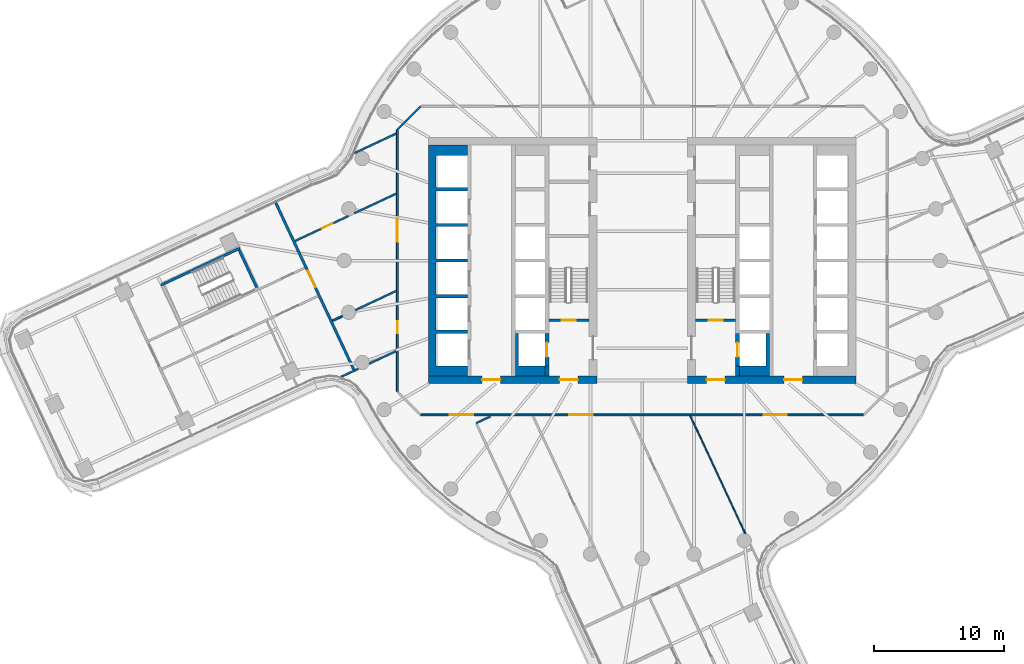
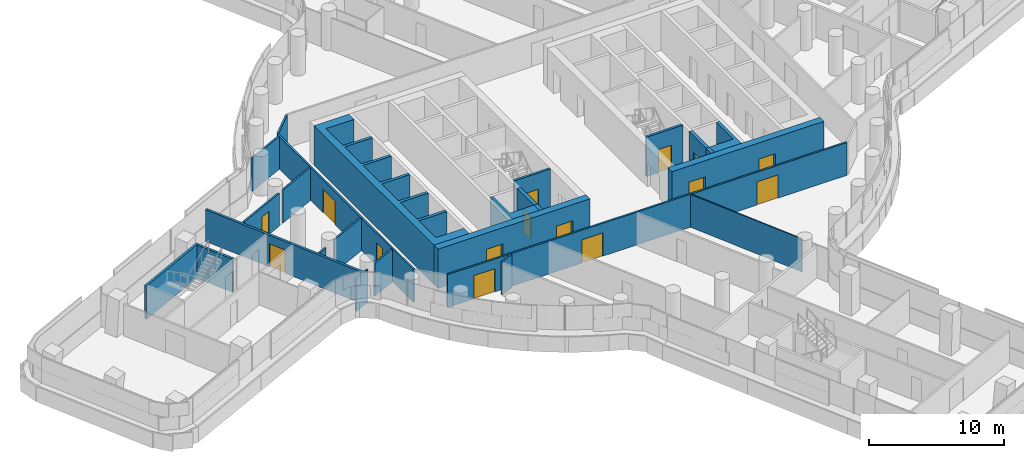
# One storey, part 24 of 36: 26 walls, 15 doors, 15 openings.
"""IFC4 building model written with IfcOpenShell, lengths in metres."""

from ifc_helpers import new_model, si_unit, direction, frame, frame_2d, origin, place, context, subcontext, project, spatial, polyline, rectangle, outline, extrude, material, layer, layer_set, type_object, element, fill, save


model = new_model("IFC4")

# Units and contexts
model_context = context("Model", 3, precision=1e-05, world=origin(), true_north=direction((0.0, 1.0)))
body_context = subcontext(model_context, "Body", "Model", "MODEL_VIEW")
ifc_project = project(units=[si_unit("LENGTHUNIT", "METRE"), si_unit("AREAUNIT", "SQUARE_METRE"), si_unit("VOLUMEUNIT", "CUBIC_METRE"), si_unit("PLANEANGLEUNIT", "RADIAN"), si_unit("MASSUNIT", "GRAM", prefix="KILO")], contexts=[model_context])

# Site, building, storey
site_placement = place(None, origin())
site = spatial("IfcSite", under=ifc_project, at=site_placement, CompositionType="ELEMENT")
building_placement = place(site_placement, origin())
building = spatial("IfcBuilding", under=site, at=building_placement, Name="Tamarind Cross Interchange Tower", CompositionType="ELEMENT")
storey_placement = place(building_placement, frame((0.0, 0.0, 124.75)))
storey = spatial("IfcBuildingStorey", under=building, at=storey_placement, Name="L30", CompositionType="ELEMENT", Elevation=124.75)

# Wall, openings, doors
ifc_material_1 = material(Name="Concrete C70", Category="concrete")
ifc_layer_1 = layer(ifc_material_1, 0.60009765625)
ifc_layer_set_1 = layer_set([ifc_layer_1], Name="Concrete C70")
wall_type_1 = type_object("IfcWallType", Name="Core wall 600 mm Concrete C70", PredefinedType="SHEAR", material=ifc_layer_set_1)
wall_1_placement = place(storey_placement, frame((-16.5, -9.199951171875, 0.0), z_axis=(0.0, 0.0, 1.0), x_axis=(1.0, 0.0, 0.0)))
wall_1 = element("IfcWall", 1, at=wall_1_placement, inside=storey, type_object=wall_type_1, Name="Core wall CWL-L30-W-S", PredefinedType="SHEAR", context=body_context, shape_type="SweptSolid", body=[
    extrude(rectangle(XDim=13.0, YDim=0.60009765625, at=frame_2d((6.5, 0.0))), origin(), (0.0, 0.0, 1.0), 3.570068359375),
])
opening_1_placement = place(wall_1_placement, frame((4.14990234375, 0.0, 0.0)))
opening_1 = element("IfcOpeningElement", 2, at=opening_1_placement, cuts=wall_1, Name="Opening DCW1", PredefinedType="OPENING", context=body_context, shape_type="SweptSolid", body=[
    extrude(rectangle(XDim=1.39990234375, YDim=2.10009765625, at=frame_2d((0.699951171875, 1.050048828125))), frame((0.0, 0.31005859375, 0.0), z_axis=(0.0, -1.0, 0.0), x_axis=(1.0, 0.0, 0.0)), (0.0, 0.0, 1.0), 0.6201171875),
])
opening_2_placement = place(wall_1_placement, frame((10.125, 0.0, 0.0)))
opening_2 = element("IfcOpeningElement", 3, at=opening_2_placement, cuts=wall_1, Name="Opening DCWF", PredefinedType="OPENING", context=body_context, shape_type="SweptSolid", body=[
    extrude(rectangle(XDim=1.39990234375, YDim=2.10009765625, at=frame_2d((0.699951171875, 1.050048828125))), frame((0.0, 0.31005859375, 0.0), z_axis=(0.0, -1.0, 0.0), x_axis=(1.0, 0.0, 0.0)), (0.0, 0.0, 1.0), 0.6201171875),
])
ifc_material_2 = material(Name="Steel, fire-resisting", Category="steel")
door_type_1 = type_object("IfcDoorType", Name="Core fire door 1400 x 2100 FD90", OperationType="SINGLE_SWING_LEFT", PredefinedType="DOOR", material=ifc_material_2)
door_1_placement = place(opening_1_placement, origin())
door_1 = element("IfcDoor", 4, at=door_1_placement, inside=storey, type_object=door_type_1, Name="L30 lift lobby door", OperationType="SINGLE_SWING_LEFT", OverallHeight=2.10009765625, OverallWidth=1.39990234375, PredefinedType="DOOR", context=body_context, shape_type="SweptSolid", body=[
    extrude(rectangle(XDim=1.39990234375, YDim=2.10009765625, at=frame_2d((0.699951171875, 1.050048828125))), frame((0.0, 0.02490234375, 0.0), z_axis=(0.0, -1.0, 0.0), x_axis=(1.0, 0.0, 0.0)), (0.0, 0.0, 1.0), 0.050048828125),
])
fill(opening_1, door_1)
door_2_placement = place(opening_2_placement, origin())
door_2 = element("IfcDoor", 5, at=door_2_placement, inside=storey, type_object=door_type_1, Name="L30 firefighting lobby end door", OperationType="SINGLE_SWING_LEFT", OverallHeight=2.10009765625, OverallWidth=1.39990234375, PredefinedType="DOOR", context=body_context, shape_type="SweptSolid", body=[
    extrude(rectangle(XDim=1.39990234375, YDim=2.10009765625, at=frame_2d((0.699951171875, 1.050048828125))), frame((0.0, 0.02490234375, 0.0), z_axis=(0.0, -1.0, 0.0), x_axis=(1.0, 0.0, 0.0)), (0.0, 0.0, 1.0), 0.050048828125),
])
fill(opening_2, door_2)

# Wall
wall_2_placement = place(storey_placement, origin())
element("IfcWall", 6, at=wall_2_placement, inside=storey, type_object=wall_type_1, Name="Core wall CWL-L30-W-A", PredefinedType="SHEAR", context=body_context, shape_type="SweptSolid", body=[
    extrude(outline(polyline([(-13.5, -8.89990234375), (-13.5, -8.125), (-15.89990234375, -8.125), (-15.89990234375, -5.625), (-13.5, -5.625), (-13.5, -5.375), (-15.89990234375, -5.375), (-15.89990234375, -2.875), (-13.5, -2.875), (-13.5, -2.625), (-15.89990234375, -2.625), (-15.89990234375, -0.125), (-13.5, -0.125), (-13.5, 0.125), (-15.89990234375, 0.125), (-15.89990234375, 2.625), (-13.5, 2.625), (-13.5, 2.875), (-15.89990234375, 2.875), (-15.89990234375, 5.375), (-13.5, 5.375), (-13.5, 5.625), (-15.89990234375, 5.625), (-15.89990234375, 8.125), (-13.5, 8.125), (-13.5, 8.89990234375), (-15.89990234375, 8.89990234375), (-16.5, 8.89990234375), (-16.5, -8.89990234375), (-15.89990234375, -8.89990234375), (-13.5, -8.89990234375)])), origin(), (0.0, 0.0, 1.0), 3.570068359375),
])

# Wall, openings, doors
wall_3_placement = place(storey_placement, frame((16.5, -9.199951171875, 0.0), z_axis=(0.0, 0.0, 1.0), x_axis=(-1.0, 0.0, 0.0)))
wall_3 = element("IfcWall", 7, at=wall_3_placement, inside=storey, type_object=wall_type_1, Name="Core wall CWL-L30-E-S", PredefinedType="SHEAR", context=body_context, shape_type="SweptSolid", body=[
    extrude(rectangle(XDim=13.0, YDim=0.60009765625, at=frame_2d((6.5, 0.0))), origin(), (0.0, 0.0, 1.0), 3.570068359375),
])
opening_3_placement = place(wall_3_placement, frame((4.14990234375, 0.0, 0.0)))
opening_3 = element("IfcOpeningElement", 8, at=opening_3_placement, cuts=wall_3, Name="Opening DCE1", PredefinedType="OPENING", context=body_context, shape_type="SweptSolid", body=[
    extrude(rectangle(XDim=1.39990234375, YDim=2.10009765625, at=frame_2d((0.699951171875, 1.050048828125))), frame((0.0, 0.31005859375, 0.0), z_axis=(0.0, -1.0, 0.0), x_axis=(1.0, 0.0, 0.0)), (0.0, 0.0, 1.0), 0.6201171875),
])
opening_4_placement = place(wall_3_placement, frame((10.125, 0.0, 0.0)))
opening_4 = element("IfcOpeningElement", 9, at=opening_4_placement, cuts=wall_3, Name="Opening DCEF", PredefinedType="OPENING", context=body_context, shape_type="SweptSolid", body=[
    extrude(rectangle(XDim=1.39990234375, YDim=2.10009765625, at=frame_2d((0.699951171875, 1.050048828125))), frame((0.0, 0.31005859375, 0.0), z_axis=(0.0, -1.0, 0.0), x_axis=(1.0, 0.0, 0.0)), (0.0, 0.0, 1.0), 0.6201171875),
])
door_3_placement = place(opening_3_placement, origin())
door_3 = element("IfcDoor", 10, at=door_3_placement, inside=storey, type_object=door_type_1, Name="L30 lift lobby door", OperationType="SINGLE_SWING_LEFT", OverallHeight=2.10009765625, OverallWidth=1.39990234375, PredefinedType="DOOR", context=body_context, shape_type="SweptSolid", body=[
    extrude(rectangle(XDim=1.39990234375, YDim=2.10009765625, at=frame_2d((0.699951171875, 1.050048828125))), frame((0.0, 0.02490234375, 0.0), z_axis=(0.0, -1.0, 0.0), x_axis=(1.0, 0.0, 0.0)), (0.0, 0.0, 1.0), 0.050048828125),
])
fill(opening_3, door_3)
door_4_placement = place(opening_4_placement, origin())
door_4 = element("IfcDoor", 11, at=door_4_placement, inside=storey, type_object=door_type_1, Name="L30 firefighting lobby end door", OperationType="SINGLE_SWING_LEFT", OverallHeight=2.10009765625, OverallWidth=1.39990234375, PredefinedType="DOOR", context=body_context, shape_type="SweptSolid", body=[
    extrude(rectangle(XDim=1.39990234375, YDim=2.10009765625, at=frame_2d((0.699951171875, 1.050048828125))), frame((0.0, 0.02490234375, 0.0), z_axis=(0.0, -1.0, 0.0), x_axis=(1.0, 0.0, 0.0)), (0.0, 0.0, 1.0), 0.050048828125),
])
fill(opening_4, door_4)

# Walls
ifc_layer_2 = layer(ifc_material_1, 0.300048828125)
ifc_layer_set_2 = layer_set([ifc_layer_2], Name="Concrete C70")
wall_type_2 = type_object("IfcWallType", Name="Core web wall 300 mm Concrete C70", PredefinedType="SHEAR", material=ifc_layer_set_2)
wall_4_placement = place(storey_placement, origin())
element("IfcWall", 12, at=wall_4_placement, inside=storey, type_object=wall_type_2, Name="Core wall CWL-L30-W-BS", PredefinedType="SHEAR", context=body_context, shape_type="SweptSolid", body=[
    extrude(outline(polyline([(-7.5, -8.125), (-9.550048828125, -8.125), (-9.550048828125, -5.625), (-9.800048828125, -5.625), (-9.800048828125, -8.125), (-9.800048828125, -8.89990234375), (-7.5, -8.89990234375), (-7.5, -8.125)])), origin(), (0.0, 0.0, 1.0), 3.570068359375),
])
wall_5_placement = place(storey_placement, frame((-7.35009765625, -8.89990234375, 0.0), z_axis=(0.0, 0.0, 1.0), x_axis=(0.0, 1.0, 0.0)))
element("IfcWall", 13, at=wall_5_placement, inside=storey, type_object=wall_type_2, Name="Core wall CWL-L30-W-BW", PredefinedType="SHEAR", context=body_context, shape_type="SweptSolid", body=[
    extrude(rectangle(XDim=0.77490234375, YDim=0.300048828125, at=frame_2d((0.387451171875, 0.0))), origin(), (0.0, 0.0, 1.0), 3.570068359375),
])

# Wall, opening, door
wall_6_placement = place(storey_placement, frame((-7.35009765625, -8.125, 0.0), z_axis=(0.0, 0.0, 1.0), x_axis=(0.0, 1.0, 0.0)))
wall_6 = element("IfcWall", 14, at=wall_6_placement, inside=storey, type_object=wall_type_2, Name="Core wall CWL-L30-W-FF", PredefinedType="SHEAR", context=body_context, shape_type="SweptSolid", body=[
    extrude(rectangle(XDim=2.5, YDim=0.300048828125, at=frame_2d((1.25, 0.0))), origin(), (0.0, 0.0, 1.0), 3.570068359375),
])
opening_5_placement = place(wall_6_placement, frame((0.699951171875, 0.0, 0.0)))
opening_5 = element("IfcOpeningElement", 15, at=opening_5_placement, cuts=wall_6, Name="Opening LD7L30", PredefinedType="OPENING", context=body_context, shape_type="SweptSolid", body=[
    extrude(rectangle(XDim=1.10009765625, YDim=2.10009765625, at=frame_2d((0.550048828125, 1.050048828125))), frame((0.0, 0.159912109375, 0.0), z_axis=(0.0, -1.0, 0.0), x_axis=(1.0, 0.0, 0.0)), (0.0, 0.0, 1.0), 0.320068359375),
])
ifc_material_3 = material(Name="Stainless steel panel", Category="steel")
door_type_2 = type_object("IfcDoorType", Name="Lift landing door 1100 x 2100 E 120", OperationType="SLIDING_TO_LEFT", PredefinedType="DOOR", material=ifc_material_3)
door_5_placement = place(opening_5_placement, origin())
door_5 = element("IfcDoor", 16, at=door_5_placement, inside=storey, type_object=door_type_2, Name="L30 landing door LF7", OperationType="SLIDING_TO_LEFT", OverallHeight=2.10009765625, OverallWidth=1.10009765625, PredefinedType="DOOR", context=body_context, shape_type="SweptSolid", body=[
    extrude(rectangle(XDim=1.10009765625, YDim=2.10009765625, at=frame_2d((0.550048828125, 1.050048828125))), frame((0.0, 0.02490234375, 0.0), z_axis=(0.0, -1.0, 0.0), x_axis=(1.0, 0.0, 0.0)), (0.0, 0.0, 1.0), 0.050048828125),
])
fill(opening_5, door_5)

# Walls
wall_7_placement = place(storey_placement, origin())
element("IfcWall", 17, at=wall_7_placement, inside=storey, type_object=wall_type_2, Name="Core wall CWL-L30-E-BS", PredefinedType="SHEAR", context=body_context, shape_type="SweptSolid", body=[
    extrude(outline(polyline([(7.5, -8.125), (7.5, -8.89990234375), (9.800048828125, -8.89990234375), (9.800048828125, -8.125), (9.800048828125, -5.625), (9.550048828125, -5.625), (9.550048828125, -8.125), (7.5, -8.125)])), origin(), (0.0, 0.0, 1.0), 3.570068359375),
])
wall_8_placement = place(storey_placement, frame((7.35009765625, -8.89990234375, 0.0), z_axis=(0.0, 0.0, 1.0), x_axis=(0.0, 1.0, 0.0)))
element("IfcWall", 18, at=wall_8_placement, inside=storey, type_object=wall_type_2, Name="Core wall CWL-L30-E-BW", PredefinedType="SHEAR", context=body_context, shape_type="SweptSolid", body=[
    extrude(rectangle(XDim=0.77490234375, YDim=0.300048828125, at=frame_2d((0.387451171875, 0.0))), origin(), (0.0, 0.0, 1.0), 3.570068359375),
])

# Wall, opening, door
wall_9_placement = place(storey_placement, frame((7.35009765625, -8.125, 0.0), z_axis=(0.0, 0.0, 1.0), x_axis=(0.0, 1.0, 0.0)))
wall_9 = element("IfcWall", 19, at=wall_9_placement, inside=storey, type_object=wall_type_2, Name="Core wall CWL-L30-E-FF", PredefinedType="SHEAR", context=body_context, shape_type="SweptSolid", body=[
    extrude(rectangle(XDim=2.5, YDim=0.300048828125, at=frame_2d((1.25, 0.0))), origin(), (0.0, 0.0, 1.0), 3.570068359375),
])
opening_6_placement = place(wall_9_placement, frame((0.699951171875, 0.0, 0.0)))
opening_6 = element("IfcOpeningElement", 20, at=opening_6_placement, cuts=wall_9, Name="Opening LD19L30", PredefinedType="OPENING", context=body_context, shape_type="SweptSolid", body=[
    extrude(rectangle(XDim=1.10009765625, YDim=2.10009765625, at=frame_2d((0.550048828125, 1.050048828125))), frame((0.0, 0.159912109375, 0.0), z_axis=(0.0, -1.0, 0.0), x_axis=(1.0, 0.0, 0.0)), (0.0, 0.0, 1.0), 0.320068359375),
])
door_6_placement = place(opening_6_placement, origin())
door_6 = element("IfcDoor", 21, at=door_6_placement, inside=storey, type_object=door_type_2, Name="L30 landing door LF19", OperationType="SLIDING_TO_LEFT", OverallHeight=2.10009765625, OverallWidth=1.10009765625, PredefinedType="DOOR", context=body_context, shape_type="SweptSolid", body=[
    extrude(rectangle(XDim=1.10009765625, YDim=2.10009765625, at=frame_2d((0.550048828125, 1.050048828125))), frame((0.0, 0.02490234375, 0.0), z_axis=(0.0, -1.0, 0.0), x_axis=(1.0, 0.0, 0.0)), (0.0, 0.0, 1.0), 0.050048828125),
])
fill(opening_6, door_6)

# Wall
ifc_material_4 = material(Name="Gypsum board partition on steel studs", Category="steel")
ifc_layer_3 = layer(ifc_material_4, 0.10009765625)
ifc_layer_set_3 = layer_set([ifc_layer_3], Name="Gypsum board partition on steel studs")
wall_type_3 = type_object("IfcWallType", Name="Partition 100 mm EI 90", PredefinedType="PARTITIONING", material=ifc_layer_set_3)
wall_10_placement = place(storey_placement, frame((3.700927734375, -11.97705078125, 0.0), z_axis=(0.0, 0.0, 1.0), x_axis=(0.423784466957, -0.905763062597, 0.0)))
element("IfcWall", 22, at=wall_10_placement, inside=storey, type_object=wall_type_3, Name="Partition L30-027", PredefinedType="PARTITIONING", context=body_context, shape_type="SweptSolid", body=[
    extrude(rectangle(XDim=10.047607421875, YDim=0.10009765625, at=frame_2d((5.02392578125, 0.0))), origin(), (0.0, 0.0, 1.0), 2.969970703125),
])

# Wall, openings, doors
ifc_layer_4 = layer(ifc_material_4, 0.14990234375)
ifc_layer_set_4 = layer_set([ifc_layer_4], Name="Gypsum board partition on steel studs")
wall_type_4 = type_object("IfcWallType", Name="Partition 150 mm EI 120", PredefinedType="PARTITIONING", material=ifc_layer_set_4)
wall_11_placement = place(storey_placement, frame((-17.10009765625, -11.89990234375, 0.0), z_axis=(0.0, 0.0, 1.0), x_axis=(1.0, 0.0, 0.0)))
wall_11 = element("IfcWall", 23, at=wall_11_placement, inside=storey, type_object=wall_type_4, Name="Partition L30-037", PredefinedType="PARTITIONING", context=body_context, shape_type="SweptSolid", body=[
    extrude(rectangle(XDim=34.1650390625, YDim=0.14990234375, at=frame_2d((17.08251953125, 0.0))), origin(), (0.0, 0.0, 1.0), 2.969970703125),
])
opening_7_placement = place(wall_11_placement, frame((11.469970703125, 0.0, 0.0)))
opening_7 = element("IfcOpeningElement", 24, at=opening_7_placement, cuts=wall_11, Name="Opening D23", PredefinedType="OPENING", context=body_context, shape_type="SweptSolid", body=[
    extrude(rectangle(XDim=1.800048828125, YDim=2.10009765625, at=frame_2d((0.89990234375, 1.050048828125))), frame((0.0, 0.0849609375, 0.0), z_axis=(0.0, -1.0, 0.0), x_axis=(1.0, 0.0, 0.0)), (0.0, 0.0, 1.0), 0.169921875),
])
opening_8_placement = place(wall_11_placement, frame((2.25, 0.0, 0.0)))
opening_8 = element("IfcOpeningElement", 25, at=opening_8_placement, cuts=wall_11, Name="Opening D24", PredefinedType="OPENING", context=body_context, shape_type="SweptSolid", body=[
    extrude(rectangle(XDim=1.800048828125, YDim=2.10009765625, at=frame_2d((0.89990234375, 1.050048828125))), frame((0.0, 0.0849609375, 0.0), z_axis=(0.0, -1.0, 0.0), x_axis=(1.0, 0.0, 0.0)), (0.0, 0.0, 1.0), 0.169921875),
])
opening_9_placement = place(wall_11_placement, frame((26.465087890625, 0.0, 0.0)))
opening_9 = element("IfcOpeningElement", 26, at=opening_9_placement, cuts=wall_11, Name="Opening D25", PredefinedType="OPENING", context=body_context, shape_type="SweptSolid", body=[
    extrude(rectangle(XDim=1.800048828125, YDim=2.10009765625, at=frame_2d((0.89990234375, 1.050048828125))), frame((0.0, 0.0849609375, 0.0), z_axis=(0.0, -1.0, 0.0), x_axis=(1.0, 0.0, 0.0)), (0.0, 0.0, 1.0), 0.169921875),
])
ifc_material_5 = material(Name="Fire-resisting door set")
door_type_3 = type_object("IfcDoorType", Name="Interior door 1800 x 2100 FD60S", OperationType="DOUBLE_DOOR_SINGLE_SWING", PredefinedType="DOOR", material=ifc_material_5)
door_7_placement = place(opening_7_placement, origin())
door_7 = element("IfcDoor", 27, at=door_7_placement, inside=storey, type_object=door_type_3, Name="Door D23", OperationType="DOUBLE_DOOR_SINGLE_SWING", OverallHeight=2.10009765625, OverallWidth=1.800048828125, PredefinedType="DOOR", context=body_context, shape_type="SweptSolid", body=[
    extrude(rectangle(XDim=1.800048828125, YDim=2.10009765625, at=frame_2d((0.89990234375, 1.050048828125))), frame((0.0, 0.02490234375, 0.0), z_axis=(0.0, -1.0, 0.0), x_axis=(1.0, 0.0, 0.0)), (0.0, 0.0, 1.0), 0.050048828125),
])
fill(opening_7, door_7)
door_8_placement = place(opening_8_placement, frame((1.800048828125, 0.0, 0.0), z_axis=(0.0, 0.0, 1.0), x_axis=(-1.0, 0.0, 0.0)))
door_8 = element("IfcDoor", 28, at=door_8_placement, inside=storey, type_object=door_type_3, Name="Door D24", OperationType="DOUBLE_DOOR_SINGLE_SWING", OverallHeight=2.10009765625, OverallWidth=1.800048828125, PredefinedType="DOOR", context=body_context, shape_type="SweptSolid", body=[
    extrude(rectangle(XDim=1.800048828125, YDim=2.10009765625, at=frame_2d((0.89990234375, 1.050048828125))), frame((0.0, 0.02490234375, 0.0), z_axis=(0.0, -1.0, 0.0), x_axis=(1.0, 0.0, 0.0)), (0.0, 0.0, 1.0), 0.050048828125),
])
fill(opening_8, door_8)
door_9_placement = place(opening_9_placement, frame((1.800048828125, 0.0, 0.0), z_axis=(0.0, 0.0, 1.0), x_axis=(-1.0, 0.0, 0.0)))
door_9 = element("IfcDoor", 29, at=door_9_placement, inside=storey, type_object=door_type_3, Name="Door D25", OperationType="DOUBLE_DOOR_SINGLE_SWING", OverallHeight=2.10009765625, OverallWidth=1.800048828125, PredefinedType="DOOR", context=body_context, shape_type="SweptSolid", body=[
    extrude(rectangle(XDim=1.800048828125, YDim=2.10009765625, at=frame_2d((0.89990234375, 1.050048828125))), frame((0.0, 0.02490234375, 0.0), z_axis=(0.0, -1.0, 0.0), x_axis=(1.0, 0.0, 0.0)), (0.0, 0.0, 1.0), 0.050048828125),
])
fill(opening_9, door_9)

# Wall, opening, door
wall_12_placement = place(storey_placement, frame((-26.787841796875, 1.513427734375, 0.0), z_axis=(0.0, 0.0, 1.0), x_axis=(0.905759991445, 0.42379103093, 0.0)))
wall_12 = element("IfcWall", 30, at=wall_12_placement, inside=storey, type_object=wall_type_4, Name="Partition L30-042", PredefinedType="PARTITIONING", context=body_context, shape_type="SweptSolid", body=[
    extrude(rectangle(XDim=4.544677734375, YDim=0.14990234375, at=frame_2d((2.2724609375, 0.0))), origin(), (0.0, 0.0, 1.0), 2.969970703125),
])
opening_10_placement = place(wall_12_placement, frame((2.294921875, 0.0, 0.0)))
opening_10 = element("IfcOpeningElement", 31, at=opening_10_placement, cuts=wall_12, Name="Opening D32", PredefinedType="OPENING", context=body_context, shape_type="SweptSolid", body=[
    extrude(rectangle(XDim=0.89990234375, YDim=2.10009765625, at=frame_2d((0.449951171875, 1.050048828125))), frame((0.0, 0.0849609375, 0.0), z_axis=(0.0, -1.0, 0.0), x_axis=(1.0, 0.0, 0.0)), (0.0, 0.0, 1.0), 0.169921875),
])
door_type_4 = type_object("IfcDoorType", Name="Interior door 900 x 2100 FD60S", OperationType="SINGLE_SWING_LEFT", PredefinedType="DOOR", material=ifc_material_5)
door_10_placement = place(opening_10_placement, origin())
door_10 = element("IfcDoor", 32, at=door_10_placement, inside=storey, type_object=door_type_4, Name="Door D32", OperationType="SINGLE_SWING_LEFT", OverallHeight=2.10009765625, OverallWidth=0.89990234375, PredefinedType="DOOR", context=body_context, shape_type="SweptSolid", body=[
    extrude(rectangle(XDim=0.89990234375, YDim=2.10009765625, at=frame_2d((0.449951171875, 1.050048828125))), frame((0.0, 0.02490234375, 0.0), z_axis=(0.0, -1.0, 0.0), x_axis=(1.0, 0.0, 0.0)), (0.0, 0.0, 1.0), 0.050048828125),
])
fill(opening_10, door_10)

# Walls
wall_13_placement = place(storey_placement, frame((-22.236572265625, 3.642822265625, 0.0), z_axis=(0.0, 0.0, 1.0), x_axis=(0.905759778977, 0.423791485034, 0.0)))
element("IfcWall", 33, at=wall_13_placement, inside=storey, type_object=wall_type_4, Name="Partition L30-043", PredefinedType="PARTITIONING", context=body_context, shape_type="SweptSolid", body=[
    extrude(rectangle(XDim=3.583740234375, YDim=0.14990234375, at=frame_2d((1.7919921875, 0.0))), origin(), (0.0, 0.0, 1.0), 2.969970703125),
])
wall_14_placement = place(storey_placement, frame((-23.906005859375, -4.6455078125, 0.0), z_axis=(0.0, 0.0, 1.0), x_axis=(0.905776114627, 0.423756569473, 0.0)))
element("IfcWall", 34, at=wall_14_placement, inside=storey, type_object=wall_type_4, Name="Partition L30-044", PredefinedType="PARTITIONING", context=body_context, shape_type="SweptSolid", body=[
    extrude(rectangle(XDim=0.859130859375, YDim=0.14990234375, at=frame_2d((0.4296875, 0.0))), origin(), (0.0, 0.0, 1.0), 2.8701171875),
])
wall_15_placement = place(storey_placement, frame((-22.1376953125, -3.818115234375, 0.0), z_axis=(0.0, 0.0, 1.0), x_axis=(0.90574646987, 0.423819929118, 0.0)))
element("IfcWall", 35, at=wall_15_placement, inside=storey, type_object=wall_type_4, Name="Partition L30-045", PredefinedType="PARTITIONING", context=body_context, shape_type="SweptSolid", body=[
    extrude(rectangle(XDim=3.474609375, YDim=0.14990234375, at=frame_2d((1.7373046875, 0.0))), origin(), (0.0, 0.0, 1.0), 2.969970703125),
])
wall_16_placement = place(storey_placement, frame((-23.23583984375, -8.969482421875, 0.0), z_axis=(0.0, 0.0, 1.0), x_axis=(0.905683464585, 0.423954551783, 0.0)))
element("IfcWall", 36, at=wall_16_placement, inside=storey, type_object=wall_type_4, Name="Partition L30-047", PredefinedType="PARTITIONING", context=body_context, shape_type="SweptSolid", body=[
    extrude(rectangle(XDim=1.474853515625, YDim=0.14990234375, at=frame_2d((0.7373046875, 0.0))), origin(), (0.0, 0.0, 1.0), 2.969970703125),
])
wall_17_placement = place(storey_placement, frame((-21.077880859375, -7.95947265625, 0.0), z_axis=(0.0, 0.0, 1.0), x_axis=(0.905695418717, 0.423929013533, 0.0)))
element("IfcWall", 37, at=wall_17_placement, inside=storey, type_object=wall_type_4, Name="Partition L30-048", PredefinedType="PARTITIONING", context=body_context, shape_type="SweptSolid", body=[
    extrude(rectangle(XDim=2.3046875, YDim=0.14990234375, at=frame_2d((1.15234375, 0.0))), origin(), (0.0, 0.0, 1.0), 2.969970703125),
])
wall_18_placement = place(storey_placement, frame((-22.20751953125, 8.293212890625, 0.0), z_axis=(0.0, 0.0, 1.0), x_axis=(0.905741880745, 0.42382973641, 0.0)))
element("IfcWall", 38, at=wall_18_placement, inside=storey, type_object=wall_type_4, Name="Partition L30-049", PredefinedType="PARTITIONING", context=body_context, shape_type="SweptSolid", body=[
    extrude(rectangle(XDim=3.5517578125, YDim=0.14990234375, at=frame_2d((1.77587890625, 0.0))), origin(), (0.0, 0.0, 1.0), 2.969970703125),
])
wall_19_placement = place(storey_placement, frame((-12.81689453125, -12.5400390625, 0.0), z_axis=(0.0, 0.0, 1.0), x_axis=(0.905880352608, 0.423533690229, 0.0)))
element("IfcWall", 39, at=wall_19_placement, inside=storey, type_object=wall_type_4, Name="Partition L30-055", PredefinedType="PARTITIONING", context=body_context, shape_type="SweptSolid", body=[
    extrude(rectangle(XDim=1.21630859375, YDim=0.14990234375, at=frame_2d((0.608154296875, 0.0))), origin(), (0.0, 0.0, 1.0), 2.969970703125),
])
wall_20_placement = place(storey_placement, frame((-18.87158203125, 10.12841796875, 0.0), z_axis=(0.0, 0.0, 1.0), x_axis=(0.707106781187, 0.707106781187, 0.0)))
element("IfcWall", 40, at=wall_20_placement, inside=storey, type_object=wall_type_4, Name="Partition L30-077", PredefinedType="PARTITIONING", context=body_context, shape_type="SweptSolid", body=[
    extrude(rectangle(XDim=2.50537109375, YDim=0.14990234375, at=frame_2d((1.252685546875, 0.0))), origin(), (0.0, 0.0, 1.0), 2.969970703125),
])

# Wall, openings, doors
wall_21_placement = place(storey_placement, frame((-18.89990234375, -10.10009765625, 0.0), z_axis=(0.0, 0.0, 1.0), x_axis=(0.0, 1.0, 0.0)))
wall_21 = element("IfcWall", 41, at=wall_21_placement, inside=storey, type_object=wall_type_4, Name="Partition L30-079", PredefinedType="PARTITIONING", context=body_context, shape_type="SweptSolid", body=[
    extrude(rectangle(XDim=20.2001953125, YDim=0.14990234375, at=frame_2d((10.10009765625, 0.0))), origin(), (0.0, 0.0, 1.0), 2.969970703125),
])
opening_11_placement = place(wall_21_placement, frame((11.547119140625, 0.0, 0.0)))
opening_11 = element("IfcOpeningElement", 42, at=opening_11_placement, cuts=wall_21, Name="Opening D41", PredefinedType="OPENING", context=body_context, shape_type="SweptSolid", body=[
    extrude(rectangle(XDim=1.800048828125, YDim=2.10009765625, at=frame_2d((0.89990234375, 1.050048828125))), frame((0.0, 0.0849609375, 0.0), z_axis=(0.0, -1.0, 0.0), x_axis=(1.0, 0.0, 0.0)), (0.0, 0.0, 1.0), 0.169921875),
])
opening_12_placement = place(wall_21_placement, frame((4.510009765625, 0.0, 0.0)))
opening_12 = element("IfcOpeningElement", 43, at=opening_12_placement, cuts=wall_21, Name="Opening D42", PredefinedType="OPENING", context=body_context, shape_type="SweptSolid", body=[
    extrude(rectangle(XDim=0.89990234375, YDim=2.10009765625, at=frame_2d((0.449951171875, 1.050048828125))), frame((0.0, 0.0849609375, 0.0), z_axis=(0.0, -1.0, 0.0), x_axis=(1.0, 0.0, 0.0)), (0.0, 0.0, 1.0), 0.169921875),
])
door_11_placement = place(opening_11_placement, frame((1.800048828125, 0.0, 0.0), z_axis=(0.0, 0.0, 1.0), x_axis=(-1.0, 0.0, 0.0)))
door_11 = element("IfcDoor", 44, at=door_11_placement, inside=storey, type_object=door_type_3, Name="Door D41", OperationType="DOUBLE_DOOR_SINGLE_SWING", OverallHeight=2.10009765625, OverallWidth=1.800048828125, PredefinedType="DOOR", context=body_context, shape_type="SweptSolid", body=[
    extrude(rectangle(XDim=1.800048828125, YDim=2.10009765625, at=frame_2d((0.89990234375, 1.050048828125))), frame((0.0, 0.02490234375, 0.0), z_axis=(0.0, -1.0, 0.0), x_axis=(1.0, 0.0, 0.0)), (0.0, 0.0, 1.0), 0.050048828125),
])
fill(opening_11, door_11)
door_12_placement = place(opening_12_placement, origin())
door_12 = element("IfcDoor", 45, at=door_12_placement, inside=storey, type_object=door_type_4, Name="Door D42", OperationType="SINGLE_SWING_RIGHT", OverallHeight=2.10009765625, OverallWidth=0.89990234375, PredefinedType="DOOR", context=body_context, shape_type="SweptSolid", body=[
    extrude(rectangle(XDim=0.89990234375, YDim=2.10009765625, at=frame_2d((0.449951171875, 1.050048828125))), frame((0.0, 0.02490234375, 0.0), z_axis=(0.0, -1.0, 0.0), x_axis=(1.0, 0.0, 0.0)), (0.0, 0.0, 1.0), 0.050048828125),
])
fill(opening_12, door_12)

# Wall, opening, door
ifc_layer_5 = layer(ifc_material_4, 0.199951171875)
ifc_layer_set_5 = layer_set([ifc_layer_5], Name="Gypsum board partition on steel studs")
wall_type_5 = type_object("IfcWallType", Name="Partition 200 mm EI 180", PredefinedType="PARTITIONING", material=ifc_layer_set_5)
wall_22_placement = place(storey_placement, frame((-28.28076171875, 4.457275390625, 0.0), z_axis=(0.0, 0.0, 1.0), x_axis=(0.423799855828, -0.90575586236, 0.0)))
wall_22 = element("IfcWall", 46, at=wall_22_placement, inside=storey, type_object=wall_type_5, Name="Partition L30-006", PredefinedType="PARTITIONING", context=body_context, shape_type="SweptSolid", body=[
    extrude(rectangle(XDim=14.21875, YDim=0.199951171875, at=frame_2d((7.109375, 0.0))), origin(), (0.0, 0.0, 1.0), 2.8701171875),
])
opening_13_placement = place(wall_22_placement, frame((5.799560546875, 0.0, 0.0)))
opening_13 = element("IfcOpeningElement", 47, at=opening_13_placement, cuts=wall_22, Name="Opening D02", PredefinedType="OPENING", context=body_context, shape_type="SweptSolid", body=[
    extrude(rectangle(XDim=1.39990234375, YDim=2.10009765625, at=frame_2d((0.699951171875, 1.050048828125))), frame((0.0, 0.10986328125, 0.0), z_axis=(0.0, -1.0, 0.0), x_axis=(1.0, 0.0, 0.0)), (0.0, 0.0, 1.0), 0.219970703125),
])
door_type_5 = type_object("IfcDoorType", Name="Interior door 1400 x 2100 FD120S", OperationType="DOUBLE_DOOR_SINGLE_SWING", PredefinedType="DOOR", material=ifc_material_5)
door_13_placement = place(opening_13_placement, origin())
door_13 = element("IfcDoor", 48, at=door_13_placement, inside=storey, type_object=door_type_5, Name="Door D02", OperationType="DOUBLE_DOOR_SINGLE_SWING", OverallHeight=2.10009765625, OverallWidth=1.39990234375, PredefinedType="DOOR", context=body_context, shape_type="SweptSolid", body=[
    extrude(rectangle(XDim=1.39990234375, YDim=2.10009765625, at=frame_2d((0.699951171875, 1.050048828125))), frame((0.0, 0.02490234375, 0.0), z_axis=(0.0, -1.0, 0.0), x_axis=(1.0, 0.0, 0.0)), (0.0, 0.0, 1.0), 0.050048828125),
])
fill(opening_13, door_13)

ifc_material_6 = material(Name="Concrete C40", Category="concrete")
ifc_layer_6 = layer(ifc_material_6, 0.199951171875)
ifc_layer_set_6 = layer_set([ifc_layer_6], Name="Concrete C40")
wall_type_6 = type_object("IfcWallType", Name="Stair shaft wall 200 mm Concrete C40", PredefinedType="SHEAR", material=ifc_layer_set_6)
wall_23_placement = place(storey_placement, frame((-7.199951171875, -4.60009765625, 0.0), z_axis=(0.0, 0.0, 1.0), x_axis=(1.0, 0.0, 0.0)))
wall_23 = element("IfcWall", 49, at=wall_23_placement, inside=storey, type_object=wall_type_6, Name="Core wall CWL-L30-W-SD", PredefinedType="SHEAR", context=body_context, shape_type="SweptSolid", body=[
    extrude(rectangle(XDim=3.099853515625, YDim=0.199951171875, at=frame_2d((1.5498046875, 0.0))), origin(), (0.0, 0.0, 1.0), 3.570068359375),
])
opening_14_placement = place(wall_23_placement, frame((0.97509765625, 0.0, 0.0)))
opening_14 = element("IfcOpeningElement", 50, at=opening_14_placement, cuts=wall_23, Name="Opening DCW6", PredefinedType="OPENING", context=body_context, shape_type="SweptSolid", body=[
    extrude(rectangle(XDim=1.10009765625, YDim=2.10009765625, at=frame_2d((0.550048828125, 1.050048828125))), frame((0.0, 0.10986328125, 0.0), z_axis=(0.0, -1.0, 0.0), x_axis=(1.0, 0.0, 0.0)), (0.0, 0.0, 1.0), 0.219970703125),
])
door_type_6 = type_object("IfcDoorType", Name="Core fire door 1100 x 2100 FD90", OperationType="SINGLE_SWING_LEFT", PredefinedType="DOOR", material=ifc_material_2)
door_14_placement = place(opening_14_placement, origin())
door_14 = element("IfcDoor", 51, at=door_14_placement, inside=storey, type_object=door_type_6, Name="L30 stair door", OperationType="SINGLE_SWING_LEFT", OverallHeight=2.10009765625, OverallWidth=1.10009765625, PredefinedType="DOOR", context=body_context, shape_type="SweptSolid", body=[
    extrude(rectangle(XDim=1.10009765625, YDim=2.10009765625, at=frame_2d((0.550048828125, 1.050048828125))), frame((0.0, 0.02490234375, 0.0), z_axis=(0.0, -1.0, 0.0), x_axis=(1.0, 0.0, 0.0)), (0.0, 0.0, 1.0), 0.050048828125),
])
fill(opening_14, door_14)

wall_24_placement = place(storey_placement, frame((7.199951171875, -4.60009765625, 0.0), z_axis=(0.0, 0.0, 1.0), x_axis=(-1.0, 0.0, 0.0)))
wall_24 = element("IfcWall", 52, at=wall_24_placement, inside=storey, type_object=wall_type_6, Name="Core wall CWL-L30-E-SD", PredefinedType="SHEAR", context=body_context, shape_type="SweptSolid", body=[
    extrude(rectangle(XDim=3.099853515625, YDim=0.199951171875, at=frame_2d((1.5498046875, 0.0))), origin(), (0.0, 0.0, 1.0), 3.570068359375),
])
opening_15_placement = place(wall_24_placement, frame((0.97509765625, 0.0, 0.0)))
opening_15 = element("IfcOpeningElement", 53, at=opening_15_placement, cuts=wall_24, Name="Opening DCE6", PredefinedType="OPENING", context=body_context, shape_type="SweptSolid", body=[
    extrude(rectangle(XDim=1.10009765625, YDim=2.10009765625, at=frame_2d((0.550048828125, 1.050048828125))), frame((0.0, 0.10986328125, 0.0), z_axis=(0.0, -1.0, 0.0), x_axis=(1.0, 0.0, 0.0)), (0.0, 0.0, 1.0), 0.219970703125),
])
door_15_placement = place(opening_15_placement, origin())
door_15 = element("IfcDoor", 54, at=door_15_placement, inside=storey, type_object=door_type_6, Name="L30 stair door", OperationType="SINGLE_SWING_LEFT", OverallHeight=2.10009765625, OverallWidth=1.10009765625, PredefinedType="DOOR", context=body_context, shape_type="SweptSolid", body=[
    extrude(rectangle(XDim=1.10009765625, YDim=2.10009765625, at=frame_2d((0.550048828125, 1.050048828125))), frame((0.0, 0.02490234375, 0.0), z_axis=(0.0, -1.0, 0.0), x_axis=(1.0, 0.0, 0.0)), (0.0, 0.0, 1.0), 0.050048828125),
])
fill(opening_15, door_15)

# Walls
wall_25_placement = place(storey_placement, frame((-31.056884765625, 0.951416015625, -0.139892578125), z_axis=(0.0, 0.0, 1.0), x_axis=(-0.90574231493, -0.423828808535, 0.0)))
element("IfcWall", 55, at=wall_25_placement, inside=storey, type_object=wall_type_6, Name="Core wall CWL-L30-ST5-C", PredefinedType="SHEAR", context=body_context, shape_type="SweptSolid", body=[
    extrude(rectangle(XDim=6.699951171875, YDim=0.199951171875, at=frame_2d((3.35009765625, 0.0))), origin(), (0.0, 0.0, 1.0), 3.010009765625),
])
wall_26_placement = place(storey_placement, frame((-31.10498046875, 0.818359375, -0.139892578125), z_axis=(0.0, 0.0, 1.0), x_axis=(0.423808281325, -0.905751920053, 0.0)))
element("IfcWall", 56, at=wall_26_placement, inside=storey, type_object=wall_type_6, Name="Core wall CWL-L30-ST5-CE", PredefinedType="SHEAR", context=body_context, shape_type="SweptSolid", body=[
    extrude(rectangle(XDim=3.199951171875, YDim=0.199951171875, at=frame_2d((1.60009765625, 0.0))), origin(), (0.0, 0.0, 1.0), 3.010009765625),
])

save(model, "model.ifc")
